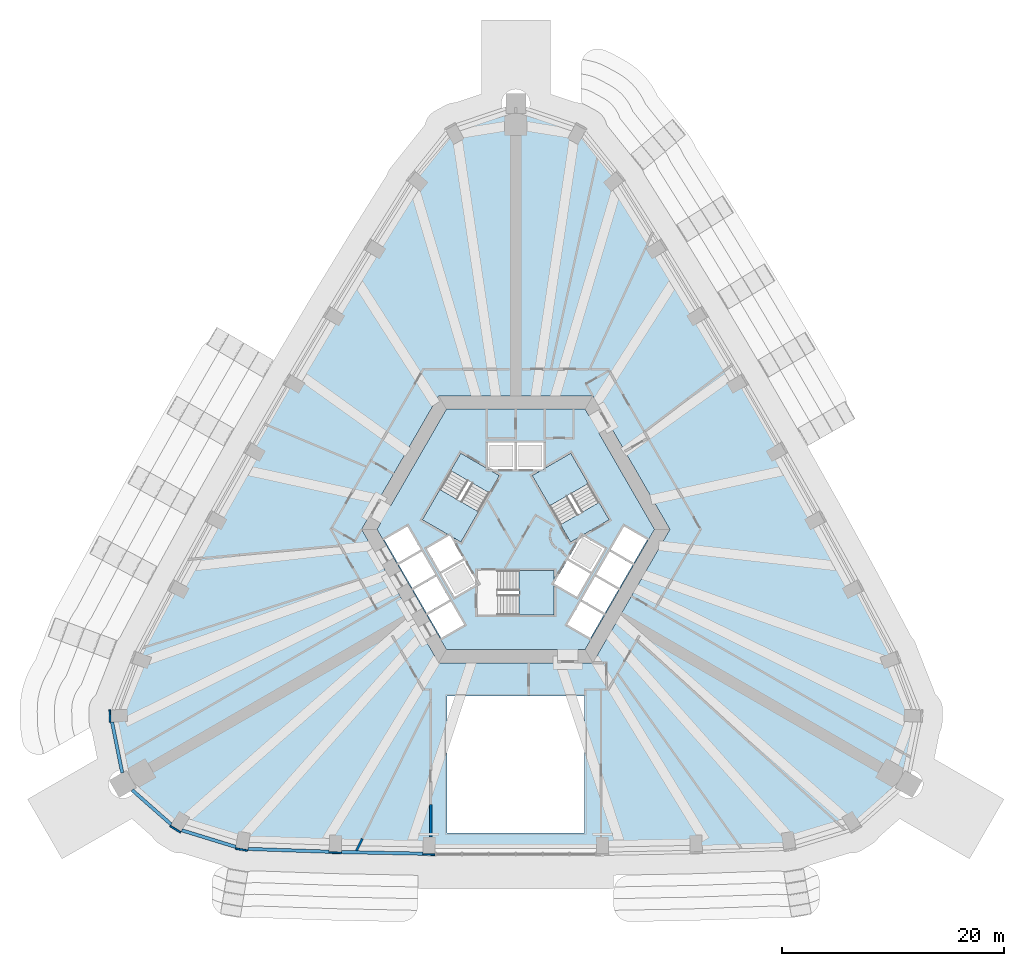
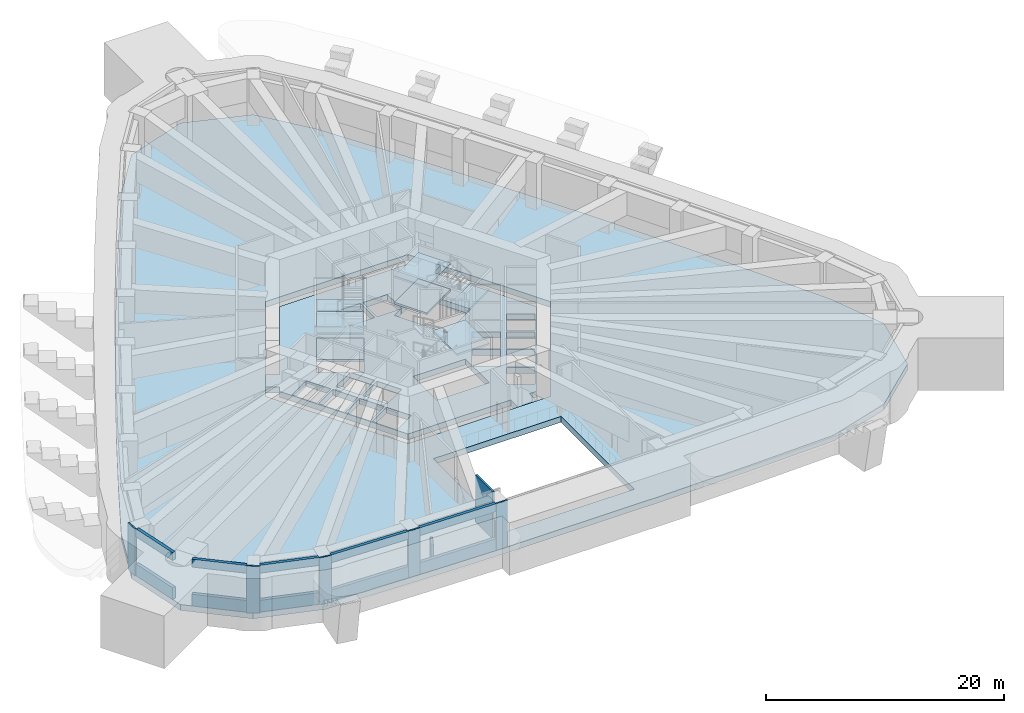
# One storey, part 4 of 20: 17 walls, 9 slabs, 3 elements without a shape of their own.
"""IFC4 building model written with IfcOpenShell, lengths in metres."""

from ifc_helpers import new_model, si_unit, direction, frame, frame_2d, origin, place, context, subcontext, project, spatial, polyline, rectangle, outline, extrude, material, layer, layer_set, type_object, element, aggregate, save


model = new_model("IFC4")

# Units and contexts
model_context = context("Model", 3, precision=1e-05, world=origin(), true_north=direction((0.0, 1.0)))
body_context = subcontext(model_context, "Body", "Model", "MODEL_VIEW")
ifc_project = project(units=[si_unit("LENGTHUNIT", "METRE"), si_unit("AREAUNIT", "SQUARE_METRE"), si_unit("VOLUMEUNIT", "CUBIC_METRE"), si_unit("PLANEANGLEUNIT", "RADIAN"), si_unit("MASSUNIT", "GRAM", prefix="KILO")], contexts=[model_context])

# Site, building, storey
site_placement = place(None, origin())
site = spatial("IfcSite", under=ifc_project, at=site_placement, CompositionType="ELEMENT")
building_placement = place(site_placement, origin())
building = spatial("IfcBuilding", under=site, at=building_placement, Name="Entoto Arch Interchange Tower", CompositionType="ELEMENT")
storey_placement = place(building_placement, frame((0.0, 0.0, 184.39990234375)))
storey = spatial("IfcBuildingStorey", under=building, at=storey_placement, Name="L41", CompositionType="ELEMENT", Elevation=184.39990234375)

# Slab
ifc_material_1 = material(Name="Concrete C40/50", Category="concrete")
ifc_layer_1 = layer(ifc_material_1, 0.60009765625)
ifc_layer_set_1 = layer_set([ifc_layer_1], Name="Concrete C40/50")
slab_type_1 = type_object("IfcSlabType", Name="Core floor slab 600 C40/50", PredefinedType="FLOOR", material=ifc_layer_set_1)
slab_1_placement = place(storey_placement, frame((0.0, 0.0, -0.599853515625)))
element("IfcSlab", 1, at=slab_1_placement, inside=storey, type_object=slab_type_1, Name="Core floor slab L41", PredefinedType="FLOOR", context=body_context, shape_type="SweptSolid", body=[
    extrude(outline(polyline([(5.580078125, -9.5), (3.75, -9.5), (3.75, -8.300048828125), (-6.235107421875, -8.300048828125), (-12.470947265625, 2.5), (-12.14306640625, 3.068115234375), (-13.181884765625, 3.66796875), (-12.26806640625, 5.251953125), (-11.22802734375, 4.652099609375), (-6.235107421875, 13.300048828125), (6.235107421875, 13.300048828125), (6.56298828125, 12.73193359375), (7.60302734375, 13.33203125), (8.51806640625, 11.748046875), (7.47802734375, 11.14697265625), (12.470947265625, 2.5), (6.235107421875, -8.300048828125), (5.580078125, -8.300048828125), (5.580078125, -9.5)]), holes=[polyline([(-4.637939453125, -6.06689453125), (-5.837890625, -3.988037109375), (-7.916015625, -5.18798828125), (-6.716064453125, -7.26708984375), (-4.637939453125, -6.06689453125)]), polyline([(-5.93798828125, -3.81494140625), (-7.137939453125, -1.737060546875), (-9.216064453125, -2.93701171875), (-8.01611328125, -5.014892578125), (-5.93798828125, -3.81494140625)]), polyline([(5.5048828125, -3.56494140625), (6.705078125, -1.487060546875), (4.626953125, -0.287109375), (3.449951171875, -2.324951171875), (3.449951171875, -1.199951171875), (-1.64990234375, -1.199951171875), (-1.64990234375, -5.199951171875), (3.449951171875, -5.199951171875), (3.449951171875, -2.3779296875), (5.5048828125, -3.56494140625)]), polyline([(-3.427001953125, -2.364990234375), (-4.626953125, -0.287109375), (-6.705078125, -1.487060546875), (-5.5048828125, -3.56494140625), (-3.427001953125, -2.364990234375)]), polyline([(-7.238037109375, -1.56298828125), (-8.43798828125, 0.514892578125), (-10.51611328125, -0.68505859375), (-9.31591796875, -2.762939453125), (-7.238037109375, -1.56298828125)]), polyline([(-4.72705078125, -0.113037109375), (-5.904052734375, 1.925048828125), (-4.928955078125, 1.362060546875), (-2.37890625, 5.779052734375), (-5.843017578125, 7.779052734375), (-8.39306640625, 3.362060546875), (-5.949951171875, 1.951904296875), (-8.0048828125, 0.764892578125), (-6.804931640625, -1.31298828125), (-4.72705078125, -0.113037109375)]), polyline([(-8.5380859375, 0.68798828125), (-9.738037109375, 2.76708984375), (-11.81591796875, 1.56689453125), (-10.615966796875, -0.511962890625), (-8.5380859375, 0.68798828125)]), polyline([(-2.5, 7.89990234375), (-0.10009765625, 7.89990234375), (-0.10009765625, 10.300048828125), (-2.5, 10.300048828125), (-2.5, 7.89990234375)]), polyline([(5.837890625, -3.988037109375), (4.637939453125, -6.06689453125), (6.716064453125, -7.26708984375), (7.916015625, -5.18798828125), (5.837890625, -3.988037109375)]), polyline([(7.137939453125, -1.737060546875), (5.93798828125, -3.81494140625), (8.01611328125, -5.014892578125), (9.216064453125, -2.93701171875), (7.137939453125, -1.737060546875)]), polyline([(8.43798828125, 0.514892578125), (7.238037109375, -1.56298828125), (9.31591796875, -2.762939453125), (10.51611328125, -0.68505859375), (8.43798828125, 0.514892578125)]), polyline([(5.927001953125, 1.965087890625), (4.72705078125, -0.113037109375), (6.804931640625, -1.31298828125), (8.0048828125, 0.764892578125), (5.927001953125, 1.965087890625)]), polyline([(9.738037109375, 2.76708984375), (8.5380859375, 0.68798828125), (10.615966796875, -0.511962890625), (11.81591796875, 1.56689453125), (9.738037109375, 2.76708984375)]), polyline([(7.492919921875, 4.9208984375), (4.943115234375, 9.337890625), (2.5, 7.927001953125), (2.5, 10.300048828125), (0.10009765625, 10.300048828125), (0.10009765625, 7.89990234375), (2.452880859375, 7.89990234375), (1.47900390625, 7.337890625), (4.029052734375, 2.9208984375), (7.492919921875, 4.9208984375)])]), origin(), (0.0, 0.0, 1.0), 0.599853515625),
])

# Stair, slab
stair_type = type_object("IfcStairType", Name="EXIT STAIR RC 1800", PredefinedType="HALF_TURN_STAIR", material=ifc_material_1)
stair_1_placement = place(storey_placement, origin())
stair_1 = element("IfcStair", 2, at=stair_1_placement, inside=storey, type_object=stair_type, Name="L41 Exit stair S", PredefinedType="HALF_TURN_STAIR")
ifc_layer_2 = layer(ifc_material_1, 0.199951171875)
ifc_layer_set_2 = layer_set([ifc_layer_2], Name="Concrete C40/50")
slab_type_2 = type_object("IfcSlabType", Name="EXIT STAIR LANDING RC 200", PredefinedType="LANDING", material=ifc_layer_set_2)
slab_2_placement = place(storey_placement, frame((0.0, 0.0, 3.85009765625)))
slab_2 = element("IfcSlab", 3, at=slab_2_placement, type_object=slab_type_2, Name="ST-S landing 3", PredefinedType="LANDING", context=body_context, shape_type="SweptSolid", body=[
    extrude(outline(polyline([(0.31005859375, -5.199951171875), (3.449951171875, -5.199951171875), (3.449951171875, -1.199951171875), (0.31005859375, -1.199951171875), (0.31005859375, -5.199951171875)])), origin(), (0.0, 0.0, 1.0), 0.199951171875),
])
aggregate(stair_1, [slab_2])

# Stair, slabs
stair_2_placement = place(storey_placement, origin())
stair_2 = element("IfcStair", 4, at=stair_2_placement, inside=storey, type_object=stair_type, Name="L41 Exit stair NE", PredefinedType="HALF_TURN_STAIR")
slab_3_placement = place(storey_placement, frame((0.0, 0.0, 1.150146484375)))
slab_3 = element("IfcSlab", 5, at=slab_3_placement, type_object=slab_type_2, Name="ST-NE landing 1", PredefinedType="LANDING", context=body_context, shape_type="SweptSolid", body=[
    extrude(outline(polyline([(6.513427734375, 6.618408203125), (4.943359375, 9.337890625), (1.479248046875, 7.337890625), (3.04931640625, 4.618408203125), (6.513427734375, 6.618408203125)])), origin(), (0.0, 0.0, 1.0), 0.199951171875),
])
slab_4_placement = place(storey_placement, frame((0.0, 0.0, 2.5)))
slab_4 = element("IfcSlab", 6, at=slab_4_placement, type_object=slab_type_2, Name="ST-NE landing 2", PredefinedType="LANDING", context=body_context, shape_type="SweptSolid", body=[
    extrude(outline(polyline([(8.393310546875, 3.3623046875), (7.493408203125, 4.921142578125), (4.029296875, 2.921142578125), (4.92919921875, 1.3623046875), (8.393310546875, 3.3623046875)])), origin(), (0.0, 0.0, 1.0), 0.2001953125),
])
slab_5_placement = place(storey_placement, frame((0.0, 0.0, 3.85009765625)))
slab_5 = element("IfcSlab", 7, at=slab_5_placement, type_object=slab_type_2, Name="ST-NE landing 3", PredefinedType="LANDING", context=body_context, shape_type="SweptSolid", body=[
    extrude(outline(polyline([(6.513427734375, 6.618408203125), (4.943359375, 9.337890625), (1.479248046875, 7.337890625), (3.04931640625, 4.618408203125), (6.513427734375, 6.618408203125)])), origin(), (0.0, 0.0, 1.0), 0.199951171875),
])
aggregate(stair_2, [slab_3, slab_4, slab_5])

stair_3_placement = place(storey_placement, origin())
stair_3 = element("IfcStair", 8, at=stair_3_placement, inside=storey, type_object=stair_type, Name="L41 Exit stair NW", PredefinedType="HALF_TURN_STAIR")
slab_6_placement = place(storey_placement, frame((0.0, 0.0, 1.150146484375)))
slab_6 = element("IfcSlab", 9, at=slab_6_placement, type_object=slab_type_2, Name="ST-NW landing 1", PredefinedType="LANDING", context=body_context, shape_type="SweptSolid", body=[
    extrude(outline(polyline([(-6.823486328125, 6.08154296875), (-8.393310546875, 3.3623046875), (-4.92919921875, 1.3623046875), (-3.359375, 4.08154296875), (-6.823486328125, 6.08154296875)])), origin(), (0.0, 0.0, 1.0), 0.199951171875),
])
slab_7_placement = place(storey_placement, frame((0.0, 0.0, 2.5)))
slab_7 = element("IfcSlab", 10, at=slab_7_placement, type_object=slab_type_2, Name="ST-NW landing 2", PredefinedType="LANDING", context=body_context, shape_type="SweptSolid", body=[
    extrude(outline(polyline([(-4.943359375, 9.337890625), (-5.843505859375, 7.779052734375), (-2.37939453125, 5.779052734375), (-1.479248046875, 7.337890625), (-4.943359375, 9.337890625)])), origin(), (0.0, 0.0, 1.0), 0.2001953125),
])
slab_8_placement = place(storey_placement, frame((0.0, 0.0, 3.85009765625)))
slab_8 = element("IfcSlab", 11, at=slab_8_placement, type_object=slab_type_2, Name="ST-NW landing 3", PredefinedType="LANDING", context=body_context, shape_type="SweptSolid", body=[
    extrude(outline(polyline([(-6.823486328125, 6.08154296875), (-8.393310546875, 3.3623046875), (-4.92919921875, 1.3623046875), (-3.359375, 4.08154296875), (-6.823486328125, 6.08154296875)])), origin(), (0.0, 0.0, 1.0), 0.199951171875),
])
aggregate(stair_3, [slab_6, slab_7, slab_8])

# Slab
ifc_layer_3 = layer(ifc_material_1, 0.60009765625)
ifc_layer_set_3 = layer_set([ifc_layer_3], Name="Concrete C40/50")
slab_type_3 = type_object("IfcSlabType", Name="Transfer floor slab post-tensioned 600 C40/50", PredefinedType="FLOOR", material=ifc_layer_set_3)
slab_9_placement = place(storey_placement, frame((0.0, 0.0, -0.599853515625)))
element("IfcSlab", 12, at=slab_9_placement, inside=storey, type_object=slab_type_3, Name="Floor slab L41", PredefinedType="FLOOR", context=body_context, shape_type="SweptSolid", body=[
    extrude(outline(polyline([(-24.6689453125, -26.35693359375), (-16.23388671875, -26.64697265625), (-7.800048828125, -26.81689453125), (7.800048828125, -26.81689453125), (16.23388671875, -26.64697265625), (24.6689453125, -26.35693359375), (30.64111328125, -24.52197265625), (35.324951171875, -20.39404296875), (36.556884765625, -14.27490234375), (34.470947265625, -8.952880859375), (31.0458984375, -2.4990234375), (27.654052734375, 3.7119140625), (24.18994140625, 9.881103515625), (20.652099609375, 16.009033203125), (17.0419921875, 22.093994140625), (13.35888671875, 28.136962890625), (9.48095703125, 34.3291015625), (5.916015625, 38.7958984375), (0.0, 40.7890625), (-5.916015625, 38.7958984375), (-9.48095703125, 34.3291015625), (-13.35888671875, 28.136962890625), (-17.0419921875, 22.093994140625), (-20.652099609375, 16.009033203125), (-24.18994140625, 9.881103515625), (-27.654052734375, 3.7119140625), (-31.0458984375, -2.4990234375), (-34.470947265625, -8.952880859375), (-36.556884765625, -14.27490234375), (-35.324951171875, -20.39404296875), (-30.64111328125, -24.52197265625), (-24.6689453125, -26.35693359375)]), holes=[polyline([(6.199951171875, -24.81689453125), (6.199951171875, -12.5), (-6.199951171875, -12.5), (-6.199951171875, -24.81689453125), (6.199951171875, -24.81689453125)]), polyline([(13.85595703125, 2.5), (6.927978515625, 14.5), (-6.927978515625, 14.5), (-13.85595703125, 2.5), (-6.927978515625, -9.5), (6.927978515625, -9.5), (13.85595703125, 2.5)])]), origin(), (0.0, 0.0, 1.0), 0.599853515625),
])

# Walls
ifc_material_2 = material(Name="Gypsum board partition on steel studs", Category="steel")
ifc_layer_4 = layer(ifc_material_2, 0.199951171875)
ifc_layer_set_4 = layer_set([ifc_layer_4], Name="Gypsum board partition on steel studs")
wall_type_1 = type_object("IfcWallType", Name="PARTITION 200", PredefinedType="PARTITIONING", material=ifc_layer_set_4)
wall_1_placement = place(storey_placement, frame((-7.64990234375, -25.14892578125, 0.0), z_axis=(0.0, 0.0, 1.0), x_axis=(0.0, 1.0, 0.0)))
element("IfcWall", 13, at=wall_1_placement, inside=storey, type_object=wall_type_1, Name="wall:L41:p029", PredefinedType="PARTITIONING", context=body_context, shape_type="SweptSolid", body=[
    extrude(rectangle(XDim=2.908935546875, YDim=0.199951171875, at=frame_2d((1.45458984375, 0.0))), origin(), (0.0, 0.0, 1.0), 4.800048828125),
])
wall_2_placement = place(storey_placement, frame((-13.7880859375, -25.302978515625, 0.0), z_axis=(0.0, 0.0, 1.0), x_axis=(-0.444462646758, -0.895797385371, 0.0)))
element("IfcWall", 14, at=wall_2_placement, inside=storey, type_object=wall_type_1, Name="wall:L41:p034", PredefinedType="PARTITIONING", context=body_context, shape_type="SweptSolid", body=[
    extrude(rectangle(XDim=1.2080078125, YDim=0.199951171875, at=frame_2d((0.60400390625, 0.0))), origin(), (0.0, 0.0, 1.0), 2.400146484375),
])
ifc_material_3 = material(Name="Board-marked precast concrete C50/60", Category="concrete")
ifc_layer_5 = layer(ifc_material_3, 0.14990234375)
ifc_layer_set_5 = layer_set([ifc_layer_5], Name="Board-marked precast concrete C50/60")
wall_type_2 = type_object("IfcWallType", Name="PRECAST FRAME WALL 150", PredefinedType="STANDARD", material=ifc_layer_set_5)
wall_3_placement = place(storey_placement, frame((-25.198974609375, -26.19091796875, 0.0), z_axis=(0.0, 0.0, 1.0), x_axis=(0.985763338892, -0.168138751323, 0.0)))
element("IfcWall", 15, at=wall_3_placement, inside=storey, type_object=wall_type_2, Name="Frame pier S01 L41", PredefinedType="STANDARD", context=body_context, shape_type="SweptSolid", body=[
    extrude(rectangle(XDim=1.1005859375, YDim=0.14990234375, at=frame_2d((0.55029296875, 0.0))), origin(), (0.0, 0.0, 1.0), 4.800048828125),
])
wall_4_placement = place(storey_placement, frame((-16.781005859375, -26.554931640625, 0.0), z_axis=(0.0, 0.0, 1.0), x_axis=(0.99951682968, -0.031082264806, 0.0)))
element("IfcWall", 16, at=wall_4_placement, inside=storey, type_object=wall_type_2, Name="Frame pier S02 L41", PredefinedType="STANDARD", context=body_context, shape_type="SweptSolid", body=[
    extrude(rectangle(XDim=1.099609375, YDim=0.14990234375, at=frame_2d((0.5498046875, 0.0))), origin(), (0.0, 0.0, 1.0), 4.800048828125),
])
wall_5_placement = place(storey_placement, frame((-8.34912109375, -26.736083984375, 0.0), z_axis=(0.0, 0.0, 1.0), x_axis=(0.999940879068, -0.010873746799, 0.0)))
element("IfcWall", 17, at=wall_5_placement, inside=storey, type_object=wall_type_2, Name="Frame pier S03 L41", PredefinedType="STANDARD", context=body_context, shape_type="SweptSolid", body=[
    extrude(rectangle(XDim=1.10009765625, YDim=0.14990234375, at=frame_2d((0.550048828125, 0.0))), origin(), (0.0, 0.0, 1.0), 4.800048828125),
])
wall_6_placement = place(storey_placement, frame((-36.4951171875, -13.722900390625, 0.0), z_axis=(0.0, 0.0, 1.0), x_axis=(0.023739424163, -0.999718180159, 0.0)))
element("IfcWall", 18, at=wall_6_placement, inside=storey, type_object=wall_type_2, Name="Frame pier SW1 L41", PredefinedType="STANDARD", context=body_context, shape_type="SweptSolid", body=[
    extrude(rectangle(XDim=1.100341796875, YDim=0.14990234375, at=frame_2d((0.55029296875, 0.0))), origin(), (0.0, 0.0, 1.0), 4.800048828125),
])
wall_7_placement = place(storey_placement, frame((-31.071044921875, -24.172119140625, 0.0), z_axis=(0.0, 0.0, 1.0), x_axis=(0.854104197553, -0.520101932051, 0.0)))
element("IfcWall", 19, at=wall_7_placement, inside=storey, type_object=wall_type_2, Name="Frame pier SW3 L41", PredefinedType="STANDARD", context=body_context, shape_type="SweptSolid", body=[
    extrude(rectangle(XDim=1.099365234375, YDim=0.14990234375, at=frame_2d((0.5498046875, 0.0))), origin(), (0.0, 0.0, 1.0), 4.800048828125),
])
ifc_layer_6 = layer(ifc_material_3, 0.300048828125)
ifc_layer_set_6 = layer_set([ifc_layer_6], Name="Board-marked precast concrete C50/60")
wall_type_3 = type_object("IfcWallType", Name="PRECAST FRAME WALL 300", PredefinedType="STANDARD", material=ifc_layer_set_6)
wall_8_placement = place(storey_placement, frame((-24.090087890625, -26.22705078125, 0.0), z_axis=(0.0, 0.0, 1.0), x_axis=(0.999411455851, -0.034303672007, 0.0)))
element("IfcWall", 20, at=wall_8_placement, inside=storey, type_object=wall_type_3, Name="Frame sill wall S-01 L41", PredefinedType="STANDARD", context=body_context, shape_type="SweptSolid", body=[
    extrude(rectangle(XDim=7.31640625, YDim=0.300048828125, at=frame_2d((3.658203125, 0.0))), origin(), (0.0, 0.0, 1.0), 1.2001953125),
])
wall_9_placement = place(storey_placement, frame((-24.090087890625, -26.22705078125, 4.0), z_axis=(0.0, 0.0, 1.0), x_axis=(0.999411455851, -0.034303672007, 0.0)))
element("IfcWall", 21, at=wall_9_placement, inside=storey, type_object=wall_type_3, Name="Frame head wall S-01 L41", PredefinedType="STANDARD", context=body_context, shape_type="SweptSolid", body=[
    extrude(rectangle(XDim=7.31640625, YDim=0.300048828125, at=frame_2d((3.658203125, 0.0))), origin(), (0.0, 0.0, 1.0), 0.800048828125),
])
wall_10_placement = place(storey_placement, frame((-15.679931640625, -26.508056640625, 0.0), z_axis=(0.0, 0.0, 1.0), x_axis=(0.999796530884, -0.020171683903, 0.0)))
element("IfcWall", 22, at=wall_10_placement, inside=storey, type_object=wall_type_3, Name="Frame sill wall S-02 L41", PredefinedType="STANDARD", context=body_context, shape_type="SweptSolid", body=[
    extrude(rectangle(XDim=7.33447265625, YDim=0.300048828125, at=frame_2d((3.667236328125, 0.0))), origin(), (0.0, 0.0, 1.0), 1.2001953125),
])
wall_11_placement = place(storey_placement, frame((-15.679931640625, -26.508056640625, 4.0), z_axis=(0.0, 0.0, 1.0), x_axis=(0.999796530884, -0.020171683903, 0.0)))
element("IfcWall", 23, at=wall_11_placement, inside=storey, type_object=wall_type_3, Name="Frame head wall S-02 L41", PredefinedType="STANDARD", context=body_context, shape_type="SweptSolid", body=[
    extrude(rectangle(XDim=7.33447265625, YDim=0.300048828125, at=frame_2d((3.667236328125, 0.0))), origin(), (0.0, 0.0, 1.0), 0.800048828125),
])
wall_12_placement = place(storey_placement, frame((-36.294921875, -14.818115234375, 0.0), z_axis=(0.0, 0.0, 1.0), x_axis=(0.197466415614, -0.980309652459, 0.0)))
element("IfcWall", 24, at=wall_12_placement, inside=storey, type_object=wall_type_3, Name="Frame sill wall SW-02 L41", PredefinedType="STANDARD", context=body_context, shape_type="SweptSolid", body=[
    extrude(rectangle(XDim=4.65869140625, YDim=0.300048828125, at=frame_2d((2.329345703125, 0.0))), origin(), (0.0, 0.0, 1.0), 1.2001953125),
])
wall_13_placement = place(storey_placement, frame((-36.294921875, -14.818115234375, 4.0), z_axis=(0.0, 0.0, 1.0), x_axis=(0.197466415614, -0.980309652459, 0.0)))
element("IfcWall", 25, at=wall_13_placement, inside=storey, type_object=wall_type_3, Name="Frame head wall SW-02 L41", PredefinedType="STANDARD", context=body_context, shape_type="SweptSolid", body=[
    extrude(rectangle(XDim=4.65869140625, YDim=0.300048828125, at=frame_2d((2.329345703125, 0.0))), origin(), (0.0, 0.0, 1.0), 0.800048828125),
])
wall_14_placement = place(storey_placement, frame((-34.47607421875, -20.94189453125, 0.0), z_axis=(0.0, 0.0, 1.0), x_axis=(0.750235237227, -0.661170998171, 0.0)))
element("IfcWall", 26, at=wall_14_placement, inside=storey, type_object=wall_type_3, Name="Frame sill wall SW-03 L41", PredefinedType="STANDARD", context=body_context, shape_type="SweptSolid", body=[
    extrude(rectangle(XDim=4.659912109375, YDim=0.300048828125, at=frame_2d((2.330078125, 0.0))), origin(), (0.0, 0.0, 1.0), 1.2001953125),
])
wall_15_placement = place(storey_placement, frame((-34.47607421875, -20.94189453125, 4.0), z_axis=(0.0, 0.0, 1.0), x_axis=(0.750235237227, -0.661170998171, 0.0)))
element("IfcWall", 27, at=wall_15_placement, inside=storey, type_object=wall_type_3, Name="Frame head wall SW-03 L41", PredefinedType="STANDARD", context=body_context, shape_type="SweptSolid", body=[
    extrude(rectangle(XDim=4.659912109375, YDim=0.300048828125, at=frame_2d((2.330078125, 0.0))), origin(), (0.0, 0.0, 1.0), 0.800048828125),
])
wall_16_placement = place(storey_placement, frame((-30.01904296875, -24.555908203125, 0.0), z_axis=(0.0, 0.0, 1.0), x_axis=(0.955892434745, -0.293716961031, 0.0)))
element("IfcWall", 28, at=wall_16_placement, inside=storey, type_object=wall_type_3, Name="Frame sill wall SW-04 L41", PredefinedType="STANDARD", context=body_context, shape_type="SweptSolid", body=[
    extrude(rectangle(XDim=5.069580078125, YDim=0.300048828125, at=frame_2d((2.53466796875, 0.0))), origin(), (0.0, 0.0, 1.0), 1.2001953125),
])
wall_17_placement = place(storey_placement, frame((-30.01904296875, -24.555908203125, 4.0), z_axis=(0.0, 0.0, 1.0), x_axis=(0.955892434745, -0.293716961031, 0.0)))
element("IfcWall", 29, at=wall_17_placement, inside=storey, type_object=wall_type_3, Name="Frame head wall SW-04 L41", PredefinedType="STANDARD", context=body_context, shape_type="SweptSolid", body=[
    extrude(rectangle(XDim=5.069580078125, YDim=0.300048828125, at=frame_2d((2.53466796875, 0.0))), origin(), (0.0, 0.0, 1.0), 0.800048828125),
])

save(model, "model.ifc")
